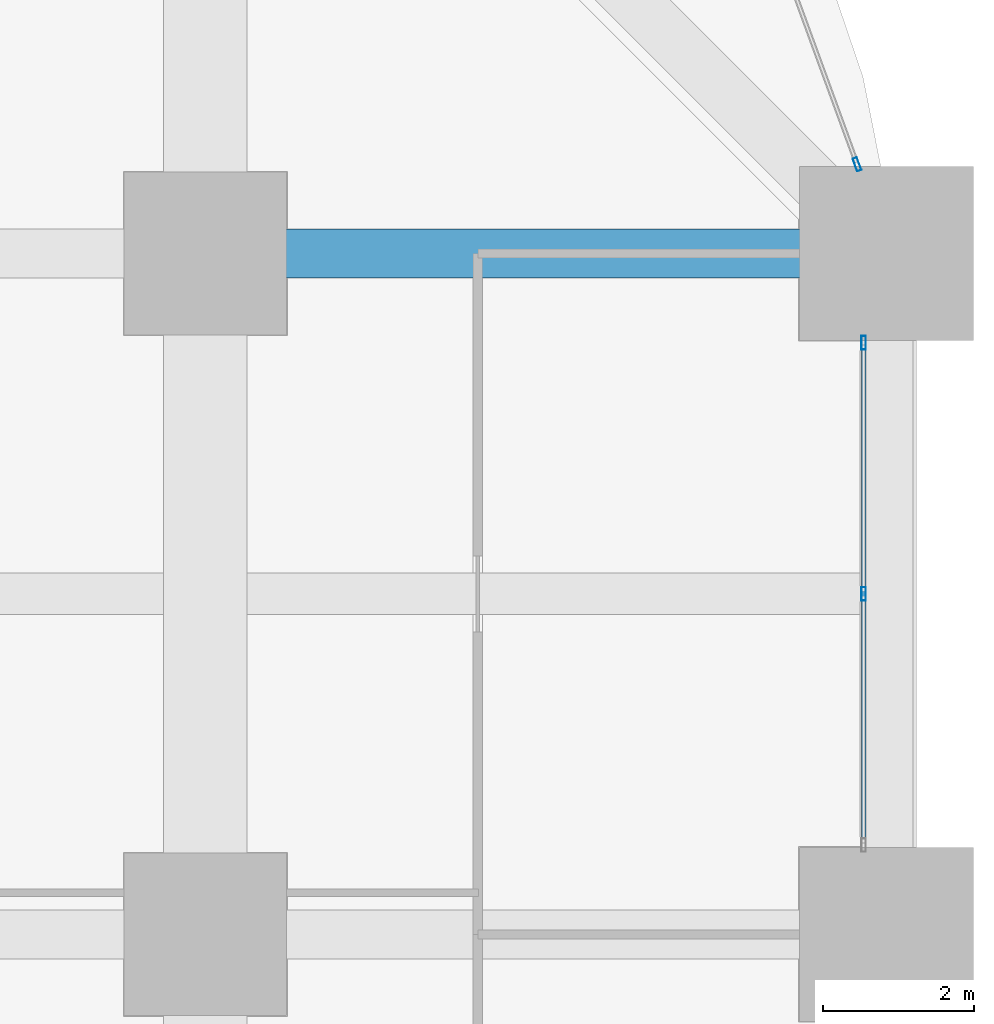
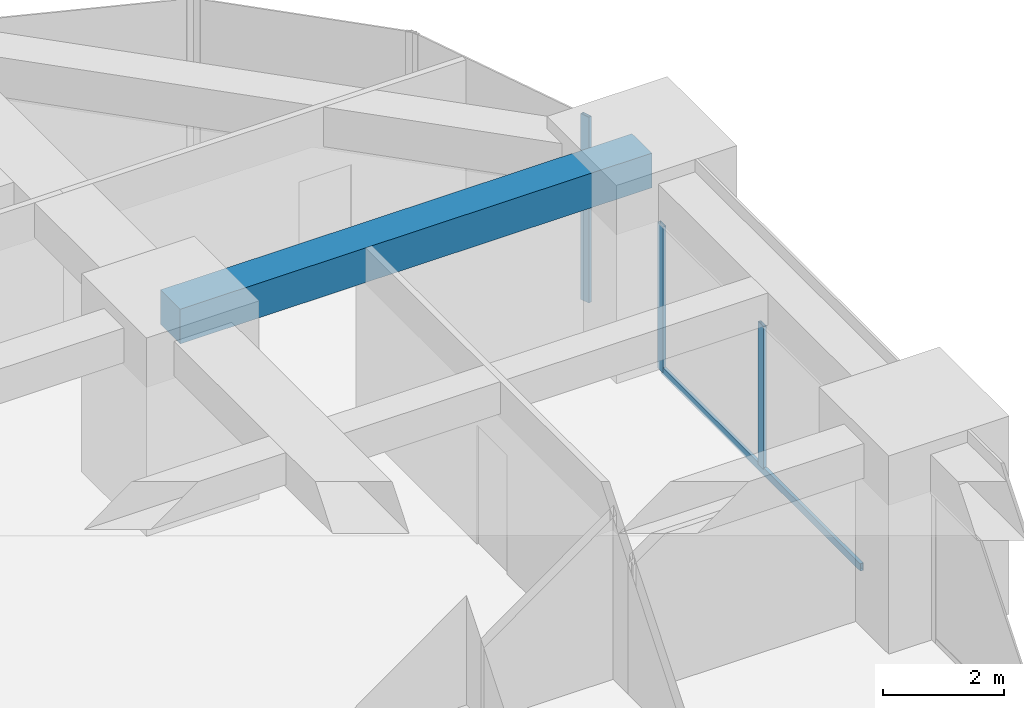
# One storey, part 34 of 44: 4 members, 1 beam, 2 elements without a shape of their own.
"""IFC4 building model written with IfcOpenShell, lengths in metres."""

from ifc_helpers import new_model, si_unit, direction, frame, origin, origin_2d, place, context, subcontext, project, spatial, rectangle, hollow_rectangle, extrude, material, material_profile, profile_set, type_object, element, aggregate, save


model = new_model("IFC4")

# Units and contexts
model_context = context("Model", 3, precision=1e-05, world=origin(), true_north=direction((0.0, 1.0)))
body_context = subcontext(model_context, "Body", "Model", "MODEL_VIEW")
ifc_project = project(units=[si_unit("LENGTHUNIT", "METRE"), si_unit("AREAUNIT", "SQUARE_METRE"), si_unit("VOLUMEUNIT", "CUBIC_METRE"), si_unit("PLANEANGLEUNIT", "RADIAN"), si_unit("MASSUNIT", "GRAM", prefix="KILO")], contexts=[model_context])

# Site, building, storey
site_placement = place(None, origin())
site = spatial("IfcSite", under=ifc_project, at=site_placement, CompositionType="ELEMENT")
building_placement = place(site_placement, origin())
building = spatial("IfcBuilding", under=site, at=building_placement, Name="Zorevar Civic Tower", CompositionType="ELEMENT")
storey_placement = place(building_placement, frame((0.0, 0.0, 51.800048828125)))
storey = spatial("IfcBuildingStorey", under=building, at=storey_placement, Name="L12", CompositionType="ELEMENT", Elevation=51.800048828125)

# Beam
ifc_material_1 = material(Name="Concrete C50/60", Category="concrete")
ifc_material_profile_1 = material_profile(ifc_material_1, rectangle(XDim=0.64990234375, YDim=0.699951171875, at=origin_2d()), Name="RC 650x700")
ifc_profile_set_1 = profile_set([ifc_material_profile_1], Name="Concrete C50/60")
beam_type = type_object("IfcBeamType", Name="Beam RC 650x700", PredefinedType="BEAM", material=ifc_profile_set_1)
beam_placement = place(storey_placement, frame((54.0, 45.0, 3.39990234375), z_axis=(1.0, 0.0, 0.0), x_axis=(0.0, 1.0, 0.0)))
element("IfcBeam", 1, at=beam_placement, inside=storey, type_object=beam_type, Name="Girder L13", PredefinedType="BEAM", context=body_context, shape_type="SweptSolid", body=[
    extrude(rectangle(XDim=0.64990234375, YDim=0.699951171875, at=origin_2d()), origin(), (0.0, 0.0, 1.0), 9.0),
])

# Curtain wall, members
ifc_material_2 = material(Name="Dark grey solar-control glass in black aluminium frame", Category="aluminium")
curtain_wall_type = type_object("IfcCurtainWallType", Name="Curtain wall CW2 low zone", PredefinedType="NOTDEFINED", material=ifc_material_2)
curtain_wall_1_placement = place(storey_placement, origin())
curtain_wall_1 = element("IfcCurtainWall", 2, at=curtain_wall_1_placement, inside=storey, type_object=curtain_wall_type, Name="CW2 L12", PredefinedType="NOTDEFINED")
ifc_material_3 = material(Name="Aluminium, black anodised", Category="aluminium")
ifc_material_profile_2 = material_profile(ifc_material_3, hollow_rectangle(XDim=0.06005859375, YDim=0.179931640625, WallThickness=0.00390625, at=origin_2d()), Name="AL 180x60x4")
ifc_profile_set_2 = profile_set([ifc_material_profile_2], Name="Aluminium, black anodised")
member_type_1 = type_object("IfcMemberType", Name="CW2 mullion AL 180x60x4", PredefinedType="MULLION", material=ifc_profile_set_2)
member_1_placement = place(storey_placement, frame((62.699951171875, 40.5, 0.06005859375), z_axis=(0.0, 0.0, 1.0), x_axis=(-1.0, 0.0, 0.0)))
member_1 = element("IfcMember", 3, at=member_1_placement, type_object=member_type_1, Name="CW2 mullion 2", PredefinedType="MULLION", context=body_context, shape_type="SweptSolid", body=[
    extrude(hollow_rectangle(XDim=0.06005859375, YDim=0.179931640625, WallThickness=0.00390625, at=origin_2d()), origin(), (0.0, 0.0, 1.0), 2.889892578125),
])
member_2_placement = place(storey_placement, frame((62.699951171875, 43.820068359375, 0.0), z_axis=(0.0, 0.0, 1.0), x_axis=(-1.0, 0.0, 0.0)))
member_2 = element("IfcMember", 4, at=member_2_placement, type_object=member_type_1, Name="CW2 mullion 3", PredefinedType="MULLION", context=body_context, shape_type="SweptSolid", body=[
    extrude(hollow_rectangle(XDim=0.06005859375, YDim=0.179931640625, WallThickness=0.00390625, at=origin_2d()), origin(), (0.0, 0.0, 1.0), 2.949951171875),
])

# Curtain wall, member
curtain_wall_2_placement = place(storey_placement, origin())
curtain_wall_2 = element("IfcCurtainWall", 5, at=curtain_wall_2_placement, inside=storey, type_object=curtain_wall_type, Name="CW2 L12", PredefinedType="NOTDEFINED")
member_3_placement = place(storey_placement, frame((62.61328125, 46.17822265625, 0.0), z_axis=(0.0, 0.0, 1.0), x_axis=(-0.939313345732, -0.343060400701, 0.0)))
member_3 = element("IfcMember", 6, at=member_3_placement, type_object=member_type_1, Name="CW2 mullion 1", PredefinedType="MULLION", context=body_context, shape_type="SweptSolid", body=[
    extrude(hollow_rectangle(XDim=0.06005859375, YDim=0.179931640625, WallThickness=0.00390625, at=origin_2d()), origin(), (0.0, 0.0, 1.0), 3.75),
])
aggregate(curtain_wall_2, [member_3])

# Member
ifc_material_4 = material(Name="Aluminium, black anodised", Category="aluminium")
ifc_material_profile_3 = material_profile(ifc_material_4, hollow_rectangle(XDim=0.06005859375, YDim=0.14990234375, WallThickness=0.00390625, at=origin_2d()), Name="AL 150x60x4")
ifc_profile_set_3 = profile_set([ifc_material_profile_3], Name="Aluminium, black anodised")
member_type_2 = type_object("IfcMemberType", Name="CW2 transom AL 150x60x4", PredefinedType="USERDEFINED", material=ifc_profile_set_3)
member_4_placement = place(storey_placement, frame((62.699951171875, 37.2099609375, 0.030029296875), z_axis=(0.0, 1.0, 0.0), x_axis=(-1.0, 0.0, 0.0)))
member_4 = element("IfcMember", 7, at=member_4_placement, type_object=member_type_2, Name="CW2 sill transom", ObjectType="TRANSOM", PredefinedType="USERDEFINED", context=body_context, shape_type="SweptSolid", body=[
    extrude(hollow_rectangle(XDim=0.06005859375, YDim=0.14990234375, WallThickness=0.00390625, at=origin_2d()), origin(), (0.0, 0.0, 1.0), 6.580078125),
])

aggregate(curtain_wall_1, [member_1, member_2, member_4])

save(model, "model.ifc")
